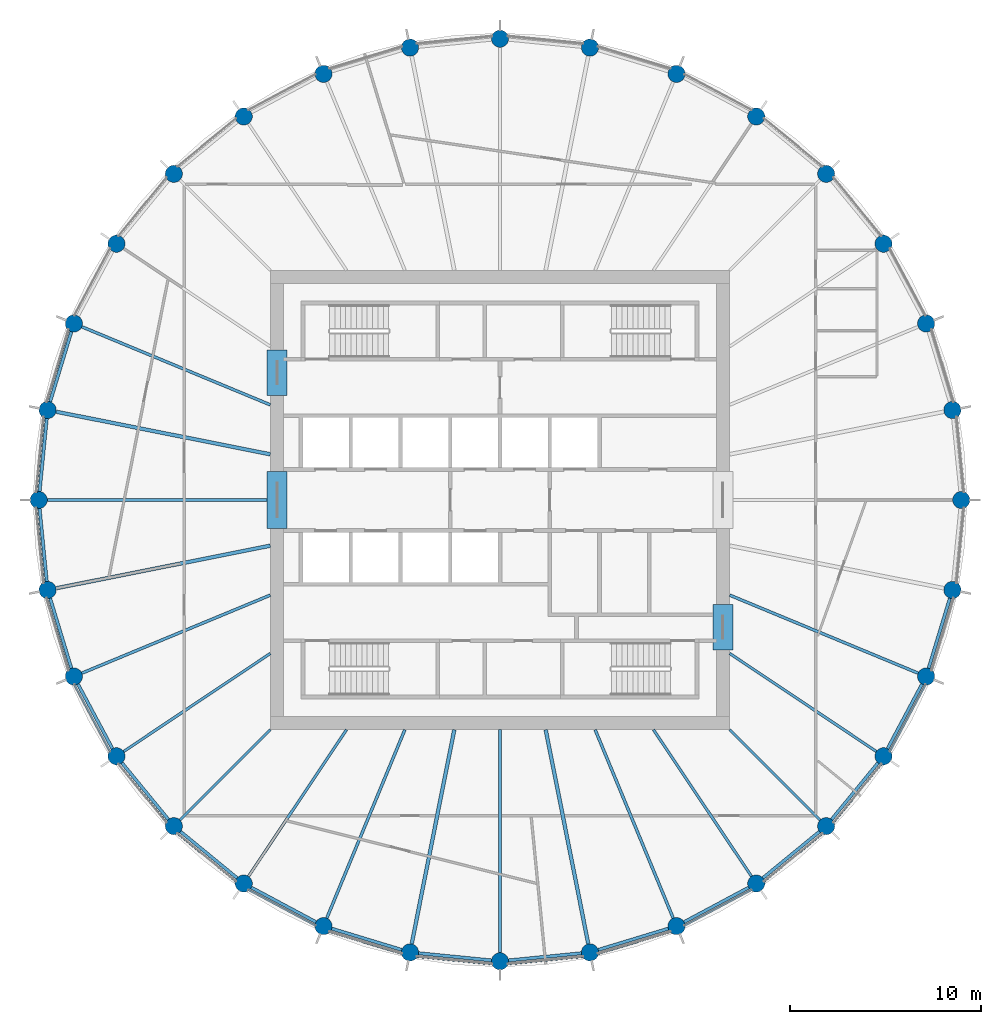
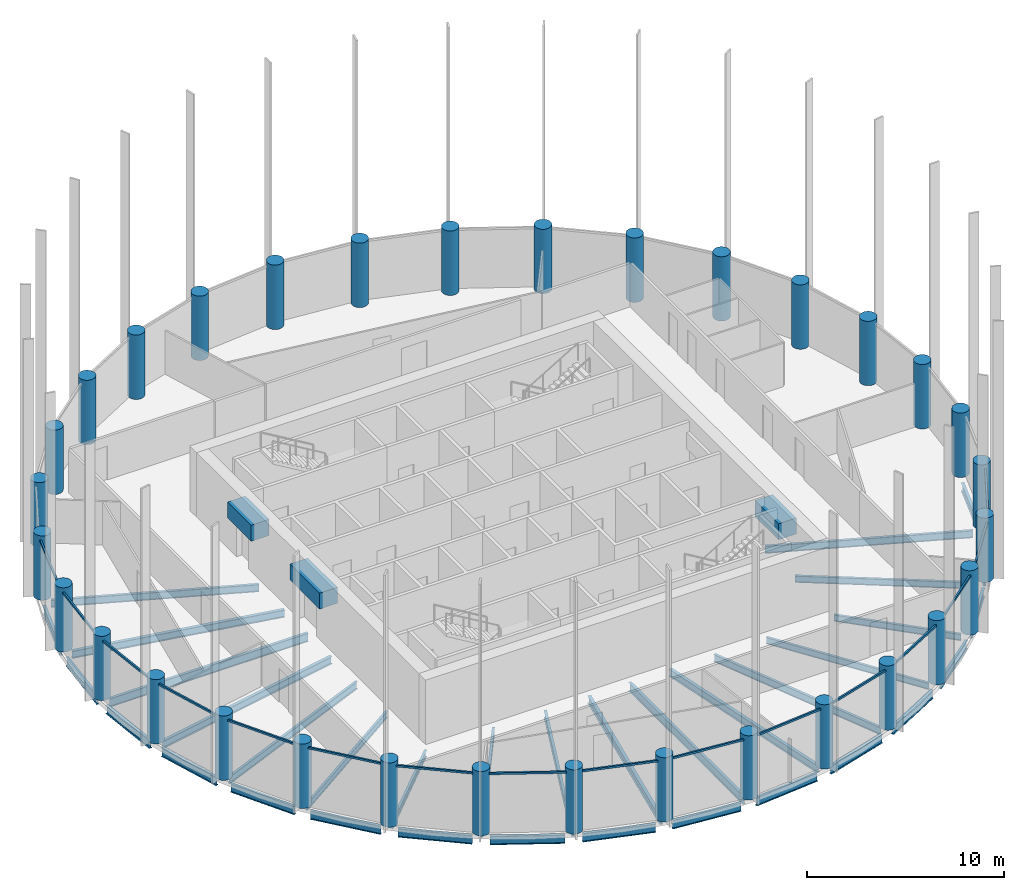
# One storey, part 1 of 7: 37 beams, 32 columns, 16 members, 16 elements without a shape of their own.
"""IFC4 building model written with IfcOpenShell, lengths in metres."""

from ifc_helpers import new_model, si_unit, direction, frame, origin, origin_2d, place, context, subcontext, project, spatial, rectangle, circle, i_section, extrude, material, material_profile, profile_set, type_object, element, aggregate, save


model = new_model("IFC4")

# Units and contexts
model_context = context("Model", 3, precision=1e-05, world=origin(), true_north=direction((0.0, 1.0)))
body_context = subcontext(model_context, "Body", "Model", "MODEL_VIEW")
ifc_project = project(units=[si_unit("LENGTHUNIT", "METRE"), si_unit("AREAUNIT", "SQUARE_METRE"), si_unit("VOLUMEUNIT", "CUBIC_METRE"), si_unit("PLANEANGLEUNIT", "RADIAN"), si_unit("MASSUNIT", "GRAM", prefix="KILO")], contexts=[model_context])

# Site, building, storey
site_placement = place(None, origin())
site = spatial("IfcSite", under=ifc_project, at=site_placement, CompositionType="ELEMENT")
building_placement = place(site_placement, origin())
building = spatial("IfcBuilding", under=site, at=building_placement, Name="Corvane Civic Tower", CompositionType="ELEMENT")
storey_placement = place(building_placement, frame((0.0, 0.0, 295.0)))
storey = spatial("IfcBuildingStorey", under=building, at=storey_placement, Name="L70", CompositionType="ELEMENT", Elevation=295.0)

# Columns
ifc_material_1 = material(Name="Concrete C60/75", Category="concrete")
ifc_material_profile_1 = material_profile(ifc_material_1, circle(Radius=0.449951171875, at=origin_2d()), Name="COLUMN 900")
ifc_profile_set_1 = profile_set([ifc_material_profile_1], Name="Concrete C60/75")
column_type = type_object("IfcColumnType", Name="RC COLUMN COLUMN 900", PredefinedType="COLUMN", material=ifc_profile_set_1)
for number, where, z_axis, x_axis, name in (
    (1, (0.0, 24.10009765625, 0.0), (0.0, 0.0, 1.0), (1.0, 0.0, 0.0), "COL-L70-E01"),
    (2, (4.70166015625, 23.636962890625, 0.0), (0.0, 0.0, 1.0), (1.0, 0.0, 0.0), "COL-L70-E02"),
    (3, (9.22265625, 22.265380859375, 0.0), (0.0, 0.0, 1.0), (1.0, 0.0, 0.0), "COL-L70-E03"),
    (4, (13.38916015625, 20.038330078125, 0.0), (0.0, 0.0, 1.0), (1.0, 0.0, 0.0), "COL-L70-E04"),
    (5, (17.041259765625, 17.041259765625, 0.0), (0.0, 0.0, 1.0), (1.0, 0.0, 0.0), "COL-L70-E05"),
    (6, (20.038330078125, 13.38916015625, 0.0), (0.0, 0.0, 1.0), (1.0, 0.0, 0.0), "COL-L70-E06"),
    (7, (22.265380859375, 9.22265625, 0.0), (0.0, 0.0, 1.0), (1.0, 0.0, 0.0), "COL-L70-E07"),
    (8, (23.636962890625, 4.70166015625, 0.0), (0.0, 0.0, 1.0), (1.0, 0.0, 0.0), "COL-L70-E08"),
    (9, (24.10009765625, 0.0, 0.0), (0.0, 0.0, 1.0), (1.0, 0.0, 0.0), "COL-L70-E09"),
    (10, (23.636962890625, -4.70166015625, 0.0), (0.0, 0.0, 1.0), (1.0, 0.0, 0.0), "COL-L70-E10"),
    (11, (22.265380859375, -9.22265625, 0.0), (0.0, 0.0, 1.0), (1.0, 0.0, 0.0), "COL-L70-E11"),
    (12, (20.038330078125, -13.38916015625, 0.0), (0.0, 0.0, 1.0), (1.0, 0.0, 0.0), "COL-L70-E12"),
    (13, (17.041259765625, -17.041259765625, 0.0), (0.0, 0.0, 1.0), (1.0, 0.0, 0.0), "COL-L70-E13"),
    (14, (13.38916015625, -20.038330078125, 0.0), (0.0, 0.0, 1.0), (1.0, 0.0, 0.0), "COL-L70-E14"),
    (15, (9.22265625, -22.265380859375, 0.0), (0.0, 0.0, 1.0), (1.0, 0.0, 0.0), "COL-L70-E15"),
    (16, (4.70166015625, -23.636962890625, 0.0), (0.0, 0.0, 1.0), (1.0, 0.0, 0.0), "COL-L70-E16"),
    (17, (0.0, -24.10009765625, 0.0), (0.0, 0.0, 1.0), (1.0, 0.0, 0.0), "COL-L70-E17"),
    (18, (-4.70166015625, -23.636962890625, 0.0), (0.0, 0.0, 1.0), (1.0, 0.0, 0.0), "COL-L70-E18"),
    (19, (-9.22265625, -22.265380859375, 0.0), (0.0, 0.0, 1.0), (1.0, 0.0, 0.0), "COL-L70-E19"),
    (20, (-13.38916015625, -20.038330078125, 0.0), (0.0, 0.0, 1.0), (1.0, 0.0, 0.0), "COL-L70-E20"),
    (21, (-17.041259765625, -17.041259765625, 0.0), (0.0, 0.0, 1.0), (1.0, 0.0, 0.0), "COL-L70-E21"),
    (22, (-20.038330078125, -13.38916015625, 0.0), (0.0, 0.0, 1.0), (1.0, 0.0, 0.0), "COL-L70-E22"),
    (23, (-22.265380859375, -9.22265625, 0.0), (0.0, 0.0, 1.0), (1.0, 0.0, 0.0), "COL-L70-E23"),
    (24, (-23.636962890625, -4.70166015625, 0.0), (0.0, 0.0, 1.0), (1.0, 0.0, 0.0), "COL-L70-E24"),
    (25, (-24.10009765625, 0.0, 0.0), (0.0, 0.0, 1.0), (1.0, 0.0, 0.0), "COL-L70-E25"),
    (26, (-23.636962890625, 4.70166015625, 0.0), (0.0, 0.0, 1.0), (1.0, 0.0, 0.0), "COL-L70-E26"),
    (27, (-22.265380859375, 9.22265625, 0.0), (0.0, 0.0, 1.0), (1.0, 0.0, 0.0), "COL-L70-E27"),
    (28, (-20.038330078125, 13.38916015625, 0.0), (0.0, 0.0, 1.0), (1.0, 0.0, 0.0), "COL-L70-E28"),
    (29, (-17.041259765625, 17.041259765625, 0.0), (0.0, 0.0, 1.0), (1.0, 0.0, 0.0), "COL-L70-E29"),
    (30, (-13.38916015625, 20.038330078125, 0.0), (0.0, 0.0, 1.0), (1.0, 0.0, 0.0), "COL-L70-E30"),
    (31, (-9.22265625, 22.265380859375, 0.0), (0.0, 0.0, 1.0), (1.0, 0.0, 0.0), "COL-L70-E31"),
    (32, (-4.70166015625, 23.636962890625, 0.0), (0.0, 0.0, 1.0), (1.0, 0.0, 0.0), "COL-L70-E32"),
):
    element("IfcColumn", number, at=place(storey_placement, frame(where, z_axis=z_axis, x_axis=x_axis)), inside=storey, type_object=column_type, Name=name, PredefinedType="COLUMN", context=body_context, shape_type="SweptSolid", body=[
        extrude(circle(Radius=0.449951171875, at=origin_2d()), origin(), (0.0, 0.0, 1.0), 4.0),
    ])

# Beams
ifc_material_2 = material(Name="Concrete C40/50", Category="concrete")
ifc_material_profile_2 = material_profile(ifc_material_2, rectangle(XDim=1.050048828125, YDim=1.0, at=origin_2d()), Name="COUPLING BEAM 1050X1000")
ifc_profile_set_2 = profile_set([ifc_material_profile_2], Name="Concrete C40/50")
beam_type_1 = type_object("IfcBeamType", Name="COUPLING BEAM COUPLING BEAM 1050X1000", PredefinedType="BEAM", material=ifc_profile_set_2)
beam_1_placement = place(storey_placement, frame((-11.64990234375, -1.5, 2.60009765625), z_axis=(0.0, 1.0, 0.0), x_axis=(-1.0, 0.0, 0.0)))
element("IfcBeam", 33, at=beam_1_placement, inside=storey, type_object=beam_type_1, Name="BM-L70-cpl-CW-LW", PredefinedType="BEAM", context=body_context, shape_type="SweptSolid", body=[
    extrude(rectangle(XDim=1.050048828125, YDim=1.0, at=origin_2d()), origin(), (0.0, 0.0, 1.0), 3.0),
])
for number, where, z_axis, x_axis, name in (
    (34, (-11.64990234375, 5.449951171875, 2.60009765625), (0.0, 1.0, 0.0), (-1.0, 0.0, 0.0), "BM-L70-cpl-CW-WN"),
    (35, (11.64990234375, -7.85009765625, 2.60009765625), (0.0, 1.0, 0.0), (-1.0, 0.0, 0.0), "BM-L70-cpl-CW-ES"),
):
    element("IfcBeam", number, at=place(storey_placement, frame(where, z_axis=z_axis, x_axis=x_axis)), inside=storey, type_object=beam_type_1, Name=name, PredefinedType="BEAM", context=body_context, shape_type="SweptSolid", body=[
        extrude(rectangle(XDim=1.050048828125, YDim=1.0, at=origin_2d()), origin(), (0.0, 0.0, 1.0), 2.400146484375),
    ])
ifc_material_3 = material(Name="Steel ASTM A992 Gr 50", Category="steel")
ifc_material_profile_3 = material_profile(ifc_material_3, i_section(OverallWidth=0.165771484375, OverallDepth=0.5283203125, WebThickness=0.009765625, FlangeThickness=0.013671875, at=origin_2d()), Name="W21X50")
ifc_profile_set_3 = profile_set([ifc_material_profile_3], Name="Steel ASTM A992 Gr 50")
beam_type_2 = type_object("IfcBeamType", Name="EDGE BEAM W21X50", PredefinedType="BEAM", material=ifc_profile_set_3)
beam_2_placement = place(storey_placement, frame((23.50634765625, -5.13232421875, -0.564208984375), z_axis=(-0.290333385085, -0.95692555902, 0.0), x_axis=(0.95692555902, -0.290333385085, 0.0)))
element("IfcBeam", 36, at=beam_2_placement, inside=storey, type_object=beam_type_2, Name="BM-L70-E10", PredefinedType="BEAM", context=body_context, shape_type="SweptSolid", body=[
    extrude(i_section(OverallWidth=0.165771484375, OverallDepth=0.5283203125, WebThickness=0.009765625, FlangeThickness=0.013671875, at=origin_2d()), origin(), (0.0, 0.0, 1.0), 3.824462890625),
])
beam_3_placement = place(storey_placement, frame((22.05322265625, -9.61962890625, -0.564208984375), z_axis=(-0.471409804487, -0.881914279413, 0.0), x_axis=(0.881914279413, -0.471409804487, 0.0)))
element("IfcBeam", 37, at=beam_3_placement, inside=storey, type_object=beam_type_2, Name="BM-L70-E11", PredefinedType="BEAM", context=body_context, shape_type="SweptSolid", body=[
    extrude(i_section(OverallWidth=0.165771484375, OverallDepth=0.5283203125, WebThickness=0.009765625, FlangeThickness=0.013671875, at=origin_2d()), origin(), (0.0, 0.0, 1.0), 3.82421875),
])
for number, where, z_axis, x_axis, name in (
    (38, (19.7529296875, -13.737060546875, -0.564208984375), (-0.634408562057, -0.772997914867, 0.0), (0.772997914867, -0.634408562057, 0.0), "BM-L70-E12"),
    (39, (16.693359375, -17.32666015625, -0.564208984375), (-0.772997914867, -0.634408562057, 0.0), (0.634408562057, -0.772997914867, 0.0), "BM-L70-E13"),
):
    element("IfcBeam", number, at=place(storey_placement, frame(where, z_axis=z_axis, x_axis=x_axis)), inside=storey, type_object=beam_type_2, Name=name, PredefinedType="BEAM", context=body_context, shape_type="SweptSolid", body=[
        extrude(i_section(OverallWidth=0.165771484375, OverallDepth=0.5283203125, WebThickness=0.009765625, FlangeThickness=0.013671875, at=origin_2d()), origin(), (0.0, 0.0, 1.0), 3.824462890625),
    ])
beam_4_placement = place(storey_placement, frame((12.9921875, -20.25048828125, -0.564208984375), z_axis=(-0.881914279413, -0.471409804487, 0.0), x_axis=(0.471409804487, -0.881914279413, 0.0)))
element("IfcBeam", 40, at=beam_4_placement, inside=storey, type_object=beam_type_2, Name="BM-L70-E14", PredefinedType="BEAM", context=body_context, shape_type="SweptSolid", body=[
    extrude(i_section(OverallWidth=0.165771484375, OverallDepth=0.5283203125, WebThickness=0.009765625, FlangeThickness=0.013671875, at=origin_2d()), origin(), (0.0, 0.0, 1.0), 3.82421875),
])
for number, where, z_axis, x_axis, name in (
    (41, (8.7919921875, -22.39599609375, -0.564208984375), (-0.95692555902, -0.290333385085, 0.0), (0.290333385085, -0.95692555902, 0.0), "BM-L70-E15"),
    (42, (4.25390625, -23.68115234375, -0.564208984375), (-0.995187721162, -0.097986732007, 0.0), (0.097986732007, -0.995187721162, 0.0), "BM-L70-E16"),
    (43, (-0.44775390625, -24.055908203125, -0.564208984375), (-0.995187721162, 0.097986732007, 0.0), (-0.097986732007, -0.995187721162, 0.0), "BM-L70-E17"),
    (44, (-5.13232421875, -23.50634765625, -0.564208984375), (-0.95692555902, 0.290333385085, 0.0), (-0.290333385085, -0.95692555902, 0.0), "BM-L70-E18"),
):
    element("IfcBeam", number, at=place(storey_placement, frame(where, z_axis=z_axis, x_axis=x_axis)), inside=storey, type_object=beam_type_2, Name=name, PredefinedType="BEAM", context=body_context, shape_type="SweptSolid", body=[
        extrude(i_section(OverallWidth=0.165771484375, OverallDepth=0.5283203125, WebThickness=0.009765625, FlangeThickness=0.013671875, at=origin_2d()), origin(), (0.0, 0.0, 1.0), 3.824462890625),
    ])
beam_5_placement = place(storey_placement, frame((-9.61962890625, -22.05322265625, -0.564208984375), z_axis=(-0.881914279413, 0.471409804487, 0.0), x_axis=(-0.471409804487, -0.881914279413, 0.0)))
element("IfcBeam", 45, at=beam_5_placement, inside=storey, type_object=beam_type_2, Name="BM-L70-E19", PredefinedType="BEAM", context=body_context, shape_type="SweptSolid", body=[
    extrude(i_section(OverallWidth=0.165771484375, OverallDepth=0.5283203125, WebThickness=0.009765625, FlangeThickness=0.013671875, at=origin_2d()), origin(), (0.0, 0.0, 1.0), 3.82421875),
])
for number, where, z_axis, x_axis, name in (
    (46, (-13.737060546875, -19.7529296875, -0.564208984375), (-0.772997914867, 0.634408562057, 0.0), (-0.634408562057, -0.772997914867, 0.0), "BM-L70-E20"),
    (47, (-17.32666015625, -16.693359375, -0.564208984375), (-0.634408562057, 0.772997914867, 0.0), (-0.772997914867, -0.634408562057, 0.0), "BM-L70-E21"),
):
    element("IfcBeam", number, at=place(storey_placement, frame(where, z_axis=z_axis, x_axis=x_axis)), inside=storey, type_object=beam_type_2, Name=name, PredefinedType="BEAM", context=body_context, shape_type="SweptSolid", body=[
        extrude(i_section(OverallWidth=0.165771484375, OverallDepth=0.5283203125, WebThickness=0.009765625, FlangeThickness=0.013671875, at=origin_2d()), origin(), (0.0, 0.0, 1.0), 3.824462890625),
    ])
beam_6_placement = place(storey_placement, frame((-20.25048828125, -12.9921875, -0.564208984375), z_axis=(-0.471409804487, 0.881914279413, 0.0), x_axis=(-0.881914279413, -0.471409804487, 0.0)))
element("IfcBeam", 48, at=beam_6_placement, inside=storey, type_object=beam_type_2, Name="BM-L70-E22", PredefinedType="BEAM", context=body_context, shape_type="SweptSolid", body=[
    extrude(i_section(OverallWidth=0.165771484375, OverallDepth=0.5283203125, WebThickness=0.009765625, FlangeThickness=0.013671875, at=origin_2d()), origin(), (0.0, 0.0, 1.0), 3.82421875),
])
for number, where, z_axis, x_axis, name in (
    (49, (-22.39599609375, -8.7919921875, -0.564208984375), (-0.290333385085, 0.95692555902, 0.0), (-0.95692555902, -0.290333385085, 0.0), "BM-L70-E23"),
    (50, (-23.68115234375, -4.25390625, -0.564208984375), (-0.097986732007, 0.995187721162, 0.0), (-0.995187721162, -0.097986732007, 0.0), "BM-L70-E24"),
    (51, (-24.055908203125, 0.44775390625, -0.564208984375), (0.097986732007, 0.995187721162, 0.0), (-0.995187721162, 0.097986732007, 0.0), "BM-L70-E25"),
    (52, (-23.50634765625, 5.13232421875, -0.564208984375), (0.290333385085, 0.95692555902, 0.0), (-0.95692555902, 0.290333385085, 0.0), "BM-L70-E26"),
):
    element("IfcBeam", number, at=place(storey_placement, frame(where, z_axis=z_axis, x_axis=x_axis)), inside=storey, type_object=beam_type_2, Name=name, PredefinedType="BEAM", context=body_context, shape_type="SweptSolid", body=[
        extrude(i_section(OverallWidth=0.165771484375, OverallDepth=0.5283203125, WebThickness=0.009765625, FlangeThickness=0.013671875, at=origin_2d()), origin(), (0.0, 0.0, 1.0), 3.824462890625),
    ])
ifc_material_4 = material(Name="Steel ASTM A992 Gr 50", Category="steel")
ifc_material_profile_4 = material_profile(ifc_material_4, i_section(OverallWidth=0.140380859375, OverallDepth=0.40380859375, WebThickness=0.007080078125, FlangeThickness=0.01123046875, at=origin_2d()), Name="W16X31")
ifc_profile_set_4 = profile_set([ifc_material_profile_4], Name="Steel ASTM A992 Gr 50")
beam_type_3 = type_object("IfcBeamType", Name="FLOOR GIRDER W16X31", PredefinedType="BEAM", material=ifc_profile_set_4)
beam_7_placement = place(storey_placement, frame((12.0, -8.01806640625, -0.501953125), z_axis=(0.831471227061, -0.555567816355, 0.0), x_axis=(0.555567816355, 0.831471227061, 0.0)))
element("IfcBeam", 53, at=beam_7_placement, inside=storey, type_object=beam_type_3, Name="BM-L70-G12", PredefinedType="BEAM", context=body_context, shape_type="SweptSolid", body=[
    extrude(i_section(OverallWidth=0.140380859375, OverallDepth=0.40380859375, WebThickness=0.007080078125, FlangeThickness=0.01123046875, at=origin_2d()), origin(), (0.0, 0.0, 1.0), 9.2177734375),
])
beam_8_placement = place(storey_placement, frame((12.0, -12.0, -0.501953125), z_axis=(0.707106781187, -0.707106781187, 0.0), x_axis=(0.707106781187, 0.707106781187, 0.0)))
element("IfcBeam", 54, at=beam_8_placement, inside=storey, type_object=beam_type_3, Name="BM-L70-G13", PredefinedType="BEAM", context=body_context, shape_type="SweptSolid", body=[
    extrude(i_section(OverallWidth=0.140380859375, OverallDepth=0.40380859375, WebThickness=0.007080078125, FlangeThickness=0.01123046875, at=origin_2d()), origin(), (0.0, 0.0, 1.0), 6.679443359375),
])
for number, where, z_axis, x_axis, name in (
    (55, (8.01806640625, -12.0, -0.501953125), (0.555567816355, -0.831471227061, 0.0), (0.831471227061, 0.555567816355, 0.0), "BM-L70-G14"),
    (56, (-8.01806640625, -12.0, -0.501953125), (-0.555567816355, -0.831471227061, 0.0), (0.831471227061, -0.555567816355, 0.0), "BM-L70-G20"),
):
    element("IfcBeam", number, at=place(storey_placement, frame(where, z_axis=z_axis, x_axis=x_axis)), inside=storey, type_object=beam_type_3, Name=name, PredefinedType="BEAM", context=body_context, shape_type="SweptSolid", body=[
        extrude(i_section(OverallWidth=0.140380859375, OverallDepth=0.40380859375, WebThickness=0.007080078125, FlangeThickness=0.01123046875, at=origin_2d()), origin(), (0.0, 0.0, 1.0), 9.2177734375),
    ])
beam_9_placement = place(storey_placement, frame((-12.0, -12.0, -0.501953125), z_axis=(-0.707106781187, -0.707106781187, 0.0), x_axis=(0.707106781187, -0.707106781187, 0.0)))
element("IfcBeam", 57, at=beam_9_placement, inside=storey, type_object=beam_type_3, Name="BM-L70-G21", PredefinedType="BEAM", context=body_context, shape_type="SweptSolid", body=[
    extrude(i_section(OverallWidth=0.140380859375, OverallDepth=0.40380859375, WebThickness=0.007080078125, FlangeThickness=0.01123046875, at=origin_2d()), origin(), (0.0, 0.0, 1.0), 6.679443359375),
])
beam_10_placement = place(storey_placement, frame((-12.0, -8.01806640625, -0.501953125), z_axis=(-0.831471227061, -0.555567816355, 0.0), x_axis=(0.555567816355, -0.831471227061, 0.0)))
element("IfcBeam", 58, at=beam_10_placement, inside=storey, type_object=beam_type_3, Name="BM-L70-G22", PredefinedType="BEAM", context=body_context, shape_type="SweptSolid", body=[
    extrude(i_section(OverallWidth=0.140380859375, OverallDepth=0.40380859375, WebThickness=0.007080078125, FlangeThickness=0.01123046875, at=origin_2d()), origin(), (0.0, 0.0, 1.0), 9.2177734375),
])
ifc_material_5 = material(Name="Steel ASTM A992 Gr 50", Category="steel")
ifc_material_profile_5 = material_profile(ifc_material_5, i_section(OverallWidth=0.15283203125, OverallDepth=0.45458984375, WebThickness=0.008056640625, FlangeThickness=0.013427734375, at=origin_2d()), Name="W18X40")
ifc_profile_set_5 = profile_set([ifc_material_profile_5], Name="Steel ASTM A992 Gr 50")
beam_type_4 = type_object("IfcBeamType", Name="FLOOR GIRDER W18X40", PredefinedType="BEAM", material=ifc_profile_set_5)
for number, where, z_axis, x_axis, name in (
    (59, (12.0, -4.970458984375, -0.52734375), (0.923875048589, -0.382694257331, 0.0), (0.382694257331, 0.923875048589, 0.0), "BM-L70-G11"),
    (60, (4.970458984375, -12.0, -0.52734375), (0.382694257331, -0.923875048589, 0.0), (0.923875048589, 0.382694257331, 0.0), "BM-L70-G15"),
    (61, (-4.970458984375, -12.0, -0.52734375), (-0.382694257331, -0.923875048589, 0.0), (0.923875048589, -0.382694257331, 0.0), "BM-L70-G19"),
    (62, (-12.0, -4.970458984375, -0.52734375), (-0.923875048589, -0.382694257331, 0.0), (0.382694257331, -0.923875048589, 0.0), "BM-L70-G23"),
    (63, (-12.0, 4.970458984375, -0.52734375), (-0.923875048589, 0.382694257331, 0.0), (-0.382694257331, -0.923875048589, 0.0), "BM-L70-G27"),
):
    element("IfcBeam", number, at=place(storey_placement, frame(where, z_axis=z_axis, x_axis=x_axis)), inside=storey, type_object=beam_type_4, Name=name, PredefinedType="BEAM", context=body_context, shape_type="SweptSolid", body=[
        extrude(i_section(OverallWidth=0.15283203125, OverallDepth=0.45458984375, WebThickness=0.008056640625, FlangeThickness=0.013427734375, at=origin_2d()), origin(), (0.0, 0.0, 1.0), 10.661376953125),
    ])
ifc_material_6 = material(Name="Steel ASTM A992 Gr 50", Category="steel")
ifc_material_profile_6 = material_profile(ifc_material_6, i_section(OverallWidth=0.1904296875, OverallDepth=0.457275390625, WebThickness=0.009033203125, FlangeThickness=0.014404296875, at=origin_2d()), Name="W18X50")
ifc_profile_set_6 = profile_set([ifc_material_profile_6], Name="Steel ASTM A992 Gr 50")
beam_type_5 = type_object("IfcBeamType", Name="FLOOR GIRDER W18X50", PredefinedType="BEAM", material=ifc_profile_set_6)
for number, where, z_axis, x_axis, name in (
    (64, (2.386962890625, -12.0, -0.528564453125), (0.195079532402, -0.980787426529, 0.0), (0.980787426529, 0.195079532402, 0.0), "BM-L70-G16"),
    (65, (-2.386962890625, -12.0, -0.528564453125), (-0.195079532402, -0.980787426529, 0.0), (0.980787426529, -0.195079532402, 0.0), "BM-L70-G18"),
    (66, (-12.0, -2.386962890625, -0.528564453125), (-0.980787426529, -0.195079532402, 0.0), (0.195079532402, -0.980787426529, 0.0), "BM-L70-G24"),
    (67, (-12.0, 2.386962890625, -0.528564453125), (-0.980787426529, 0.195079532402, 0.0), (-0.195079532402, -0.980787426529, 0.0), "BM-L70-G26"),
):
    element("IfcBeam", number, at=place(storey_placement, frame(where, z_axis=z_axis, x_axis=x_axis)), inside=storey, type_object=beam_type_5, Name=name, PredefinedType="BEAM", context=body_context, shape_type="SweptSolid", body=[
        extrude(i_section(OverallWidth=0.1904296875, OverallDepth=0.457275390625, WebThickness=0.009033203125, FlangeThickness=0.014404296875, at=origin_2d()), origin(), (0.0, 0.0, 1.0), 11.414794921875),
    ])
ifc_material_7 = material(Name="Steel ASTM A992 Gr 50", Category="steel")
ifc_material_profile_7 = material_profile(ifc_material_7, i_section(OverallWidth=0.165771484375, OverallDepth=0.5283203125, WebThickness=0.009765625, FlangeThickness=0.013671875, at=origin_2d()), Name="W21X50")
ifc_profile_set_7 = profile_set([ifc_material_profile_7], Name="Steel ASTM A992 Gr 50")
beam_type_6 = type_object("IfcBeamType", Name="FLOOR GIRDER W21X50", PredefinedType="BEAM", material=ifc_profile_set_7)
for number, where, z_axis, x_axis, name in (
    (68, (0.0, -12.0, -0.564208984375), (0.0, -1.0, 0.0), (1.0, 0.0, 0.0), "BM-L70-G17"),
    (69, (-12.0, 0.0, -0.564208984375), (-1.0, 0.0, 0.0), (0.0, -1.0, 0.0), "BM-L70-G25"),
):
    element("IfcBeam", number, at=place(storey_placement, frame(where, z_axis=z_axis, x_axis=x_axis)), inside=storey, type_object=beam_type_6, Name=name, PredefinedType="BEAM", context=body_context, shape_type="SweptSolid", body=[
        extrude(i_section(OverallWidth=0.165771484375, OverallDepth=0.5283203125, WebThickness=0.009765625, FlangeThickness=0.013671875, at=origin_2d()), origin(), (0.0, 0.0, 1.0), 11.64990234375),
    ])

# Curtain wall, member
ifc_material_8 = material(Name="Anodised aluminium bronze", Category="aluminium")
curtain_wall_type = type_object("IfcCurtainWallType", Name="TOWER CW-T3 STICK CURTAIN WALL", PredefinedType="NOTDEFINED", material=ifc_material_8)
curtain_wall_1_placement = place(storey_placement, origin())
curtain_wall_1 = element("IfcCurtainWall", 70, at=curtain_wall_1_placement, inside=storey, type_object=curtain_wall_type, Name="Curtain wall CW-T3 L70 bay 11", PredefinedType="NOTDEFINED")
ifc_material_9 = material(Name="Anodised aluminium bronze", Category="aluminium")
ifc_material_profile_8 = material_profile(ifc_material_9, rectangle(XDim=0.10009765625, YDim=0.1201171875, at=origin_2d()), Name="TOWER CW-T3 TRANSOM 100x120")
ifc_profile_set_8 = profile_set([ifc_material_profile_8], Name="Anodised aluminium bronze")
member_type = type_object("IfcMemberType", Name="TOWER CW-T3 TRANSOM 100x120", PredefinedType="USERDEFINED", material=ifc_profile_set_8)
member_1_placement = place(storey_placement, frame((22.2431640625, -9.644775390625, 3.68994140625), z_axis=(-0.471468241052, -0.881883040816, 0.0), x_axis=(0.881883040816, -0.471468241052, 0.0)))
member_1 = element("IfcMember", 71, at=member_1_placement, type_object=member_type, Name="Transom CW-T3 L70 11.1", ObjectType="TRANSOM", PredefinedType="USERDEFINED", context=body_context, shape_type="SweptSolid", body=[
    extrude(rectangle(XDim=0.10009765625, YDim=0.1201171875, at=origin_2d()), origin(), (0.0, 0.0, 1.0), 3.958740234375),
])
aggregate(curtain_wall_1, [member_1])

curtain_wall_2_placement = place(storey_placement, origin())
curtain_wall_2 = element("IfcCurtainWall", 72, at=curtain_wall_2_placement, inside=storey, type_object=curtain_wall_type, Name="Curtain wall CW-T3 L70 bay 12", PredefinedType="NOTDEFINED")
member_2_placement = place(storey_placement, frame((19.93408203125, -13.798828125, 3.68994140625), z_axis=(-0.634415838373, -0.772991943051, 0.0), x_axis=(0.772991943051, -0.634415838373, 0.0)))
member_2 = element("IfcMember", 73, at=member_2_placement, type_object=member_type, Name="Transom CW-T3 L70 12.1", ObjectType="TRANSOM", PredefinedType="USERDEFINED", context=body_context, shape_type="SweptSolid", body=[
    extrude(rectangle(XDim=0.10009765625, YDim=0.1201171875, at=origin_2d()), origin(), (0.0, 0.0, 1.0), 3.958740234375),
])
aggregate(curtain_wall_2, [member_2])

curtain_wall_3_placement = place(storey_placement, origin())
curtain_wall_3 = element("IfcCurtainWall", 74, at=curtain_wall_3_placement, inside=storey, type_object=curtain_wall_type, Name="Curtain wall CW-T3 L70 bay 13", PredefinedType="NOTDEFINED")
member_3_placement = place(storey_placement, frame((16.85888671875, -17.422607421875, 3.68994140625), z_axis=(-0.772991943051, -0.634415838373, 0.0), x_axis=(0.634415838373, -0.772991943051, 0.0)))
member_3 = element("IfcMember", 75, at=member_3_placement, type_object=member_type, Name="Transom CW-T3 L70 13.1", ObjectType="TRANSOM", PredefinedType="USERDEFINED", context=body_context, shape_type="SweptSolid", body=[
    extrude(rectangle(XDim=0.10009765625, YDim=0.1201171875, at=origin_2d()), origin(), (0.0, 0.0, 1.0), 3.958740234375),
])
aggregate(curtain_wall_3, [member_3])

curtain_wall_4_placement = place(storey_placement, origin())
curtain_wall_4 = element("IfcCurtainWall", 76, at=curtain_wall_4_placement, inside=storey, type_object=curtain_wall_type, Name="Curtain wall CW-T3 L70 bay 14", PredefinedType="NOTDEFINED")
member_4_placement = place(storey_placement, frame((13.135986328125, -20.376708984375, 3.68994140625), z_axis=(-0.881883040816, -0.471468241052, 0.0), x_axis=(0.471468241052, -0.881883040816, 0.0)))
member_4 = element("IfcMember", 77, at=member_4_placement, type_object=member_type, Name="Transom CW-T3 L70 14.1", ObjectType="TRANSOM", PredefinedType="USERDEFINED", context=body_context, shape_type="SweptSolid", body=[
    extrude(rectangle(XDim=0.10009765625, YDim=0.1201171875, at=origin_2d()), origin(), (0.0, 0.0, 1.0), 3.958740234375),
])
aggregate(curtain_wall_4, [member_4])

curtain_wall_5_placement = place(storey_placement, origin())
curtain_wall_5 = element("IfcCurtainWall", 78, at=curtain_wall_5_placement, inside=storey, type_object=curtain_wall_type, Name="Curtain wall CW-T3 L70 bay 15", PredefinedType="NOTDEFINED")
member_5_placement = place(storey_placement, frame((8.908447265625, -22.548095703125, 3.68994140625), z_axis=(-0.956946054205, -0.290265825309, 0.0), x_axis=(0.290265825309, -0.956946054205, 0.0)))
member_5 = element("IfcMember", 79, at=member_5_placement, type_object=member_type, Name="Transom CW-T3 L70 15.1", ObjectType="TRANSOM", PredefinedType="USERDEFINED", context=body_context, shape_type="SweptSolid", body=[
    extrude(rectangle(XDim=0.10009765625, YDim=0.1201171875, at=origin_2d()), origin(), (0.0, 0.0, 1.0), 3.958984375),
])
aggregate(curtain_wall_5, [member_5])

curtain_wall_6_placement = place(storey_placement, origin())
curtain_wall_6 = element("IfcCurtainWall", 80, at=curtain_wall_6_placement, inside=storey, type_object=curtain_wall_type, Name="Curtain wall CW-T3 L70 bay 16", PredefinedType="NOTDEFINED")
member_6_placement = place(storey_placement, frame((4.338134765625, -23.852783203125, 3.68994140625), z_axis=(-0.995186866683, -0.097995409999, 0.0), x_axis=(0.097995409999, -0.995186866683, 0.0)))
member_6 = element("IfcMember", 81, at=member_6_placement, type_object=member_type, Name="Transom CW-T3 L70 16.1", ObjectType="TRANSOM", PredefinedType="USERDEFINED", context=body_context, shape_type="SweptSolid", body=[
    extrude(rectangle(XDim=0.10009765625, YDim=0.1201171875, at=origin_2d()), origin(), (0.0, 0.0, 1.0), 3.958740234375),
])
aggregate(curtain_wall_6, [member_6])

curtain_wall_7_placement = place(storey_placement, origin())
curtain_wall_7 = element("IfcCurtainWall", 82, at=curtain_wall_7_placement, inside=storey, type_object=curtain_wall_type, Name="Curtain wall CW-T3 L70 bay 17", PredefinedType="NOTDEFINED")
member_7_placement = place(storey_placement, frame((-0.3984375, -24.24072265625, 3.68994140625), z_axis=(-0.995186866683, 0.097995409999, 0.0), x_axis=(-0.097995409999, -0.995186866683, 0.0)))
member_7 = element("IfcMember", 83, at=member_7_placement, type_object=member_type, Name="Transom CW-T3 L70 17.1", ObjectType="TRANSOM", PredefinedType="USERDEFINED", context=body_context, shape_type="SweptSolid", body=[
    extrude(rectangle(XDim=0.10009765625, YDim=0.1201171875, at=origin_2d()), origin(), (0.0, 0.0, 1.0), 3.958740234375),
])
aggregate(curtain_wall_7, [member_7])

curtain_wall_8_placement = place(storey_placement, origin())
curtain_wall_8 = element("IfcCurtainWall", 84, at=curtain_wall_8_placement, inside=storey, type_object=curtain_wall_type, Name="Curtain wall CW-T3 L70 bay 18", PredefinedType="NOTDEFINED")
member_8_placement = place(storey_placement, frame((-5.119873046875, -23.697265625, 3.68994140625), z_axis=(-0.956946054205, 0.290265825309, 0.0), x_axis=(-0.290265825309, -0.956946054205, 0.0)))
member_8 = element("IfcMember", 85, at=member_8_placement, type_object=member_type, Name="Transom CW-T3 L70 18.1", ObjectType="TRANSOM", PredefinedType="USERDEFINED", context=body_context, shape_type="SweptSolid", body=[
    extrude(rectangle(XDim=0.10009765625, YDim=0.1201171875, at=origin_2d()), origin(), (0.0, 0.0, 1.0), 3.958984375),
])
aggregate(curtain_wall_8, [member_8])

curtain_wall_9_placement = place(storey_placement, origin())
curtain_wall_9 = element("IfcCurtainWall", 86, at=curtain_wall_9_placement, inside=storey, type_object=curtain_wall_type, Name="Curtain wall CW-T3 L70 bay 19", PredefinedType="NOTDEFINED")
member_9_placement = place(storey_placement, frame((-9.644775390625, -22.2431640625, 3.68994140625), z_axis=(-0.881883040816, 0.471468241052, 0.0), x_axis=(-0.471468241052, -0.881883040816, 0.0)))
member_9 = element("IfcMember", 87, at=member_9_placement, type_object=member_type, Name="Transom CW-T3 L70 19.1", ObjectType="TRANSOM", PredefinedType="USERDEFINED", context=body_context, shape_type="SweptSolid", body=[
    extrude(rectangle(XDim=0.10009765625, YDim=0.1201171875, at=origin_2d()), origin(), (0.0, 0.0, 1.0), 3.958740234375),
])
aggregate(curtain_wall_9, [member_9])

curtain_wall_10_placement = place(storey_placement, origin())
curtain_wall_10 = element("IfcCurtainWall", 88, at=curtain_wall_10_placement, inside=storey, type_object=curtain_wall_type, Name="Curtain wall CW-T3 L70 bay 20", PredefinedType="NOTDEFINED")
member_10_placement = place(storey_placement, frame((-13.798828125, -19.93408203125, 3.68994140625), z_axis=(-0.772991943051, 0.634415838373, 0.0), x_axis=(-0.634415838373, -0.772991943051, 0.0)))
member_10 = element("IfcMember", 89, at=member_10_placement, type_object=member_type, Name="Transom CW-T3 L70 20.1", ObjectType="TRANSOM", PredefinedType="USERDEFINED", context=body_context, shape_type="SweptSolid", body=[
    extrude(rectangle(XDim=0.10009765625, YDim=0.1201171875, at=origin_2d()), origin(), (0.0, 0.0, 1.0), 3.958740234375),
])
aggregate(curtain_wall_10, [member_10])

curtain_wall_11_placement = place(storey_placement, origin())
curtain_wall_11 = element("IfcCurtainWall", 90, at=curtain_wall_11_placement, inside=storey, type_object=curtain_wall_type, Name="Curtain wall CW-T3 L70 bay 21", PredefinedType="NOTDEFINED")
member_11_placement = place(storey_placement, frame((-17.422607421875, -16.85888671875, 3.68994140625), z_axis=(-0.634415838373, 0.772991943051, 0.0), x_axis=(-0.772991943051, -0.634415838373, 0.0)))
member_11 = element("IfcMember", 91, at=member_11_placement, type_object=member_type, Name="Transom CW-T3 L70 21.1", ObjectType="TRANSOM", PredefinedType="USERDEFINED", context=body_context, shape_type="SweptSolid", body=[
    extrude(rectangle(XDim=0.10009765625, YDim=0.1201171875, at=origin_2d()), origin(), (0.0, 0.0, 1.0), 3.958740234375),
])
aggregate(curtain_wall_11, [member_11])

curtain_wall_12_placement = place(storey_placement, origin())
curtain_wall_12 = element("IfcCurtainWall", 92, at=curtain_wall_12_placement, inside=storey, type_object=curtain_wall_type, Name="Curtain wall CW-T3 L70 bay 22", PredefinedType="NOTDEFINED")
member_12_placement = place(storey_placement, frame((-20.376708984375, -13.135986328125, 3.68994140625), z_axis=(-0.471468241052, 0.881883040816, 0.0), x_axis=(-0.881883040816, -0.471468241052, 0.0)))
member_12 = element("IfcMember", 93, at=member_12_placement, type_object=member_type, Name="Transom CW-T3 L70 22.1", ObjectType="TRANSOM", PredefinedType="USERDEFINED", context=body_context, shape_type="SweptSolid", body=[
    extrude(rectangle(XDim=0.10009765625, YDim=0.1201171875, at=origin_2d()), origin(), (0.0, 0.0, 1.0), 3.958740234375),
])
aggregate(curtain_wall_12, [member_12])

curtain_wall_13_placement = place(storey_placement, origin())
curtain_wall_13 = element("IfcCurtainWall", 94, at=curtain_wall_13_placement, inside=storey, type_object=curtain_wall_type, Name="Curtain wall CW-T3 L70 bay 23", PredefinedType="NOTDEFINED")
member_13_placement = place(storey_placement, frame((-22.548095703125, -8.908447265625, 3.68994140625), z_axis=(-0.290265825309, 0.956946054205, 0.0), x_axis=(-0.956946054205, -0.290265825309, 0.0)))
member_13 = element("IfcMember", 95, at=member_13_placement, type_object=member_type, Name="Transom CW-T3 L70 23.1", ObjectType="TRANSOM", PredefinedType="USERDEFINED", context=body_context, shape_type="SweptSolid", body=[
    extrude(rectangle(XDim=0.10009765625, YDim=0.1201171875, at=origin_2d()), origin(), (0.0, 0.0, 1.0), 3.958984375),
])
aggregate(curtain_wall_13, [member_13])

curtain_wall_14_placement = place(storey_placement, origin())
curtain_wall_14 = element("IfcCurtainWall", 96, at=curtain_wall_14_placement, inside=storey, type_object=curtain_wall_type, Name="Curtain wall CW-T3 L70 bay 24", PredefinedType="NOTDEFINED")
member_14_placement = place(storey_placement, frame((-23.852783203125, -4.338134765625, 3.68994140625), z_axis=(-0.097995409999, 0.995186866683, 0.0), x_axis=(-0.995186866683, -0.097995409999, 0.0)))
member_14 = element("IfcMember", 97, at=member_14_placement, type_object=member_type, Name="Transom CW-T3 L70 24.1", ObjectType="TRANSOM", PredefinedType="USERDEFINED", context=body_context, shape_type="SweptSolid", body=[
    extrude(rectangle(XDim=0.10009765625, YDim=0.1201171875, at=origin_2d()), origin(), (0.0, 0.0, 1.0), 3.958740234375),
])
aggregate(curtain_wall_14, [member_14])

curtain_wall_15_placement = place(storey_placement, origin())
curtain_wall_15 = element("IfcCurtainWall", 98, at=curtain_wall_15_placement, inside=storey, type_object=curtain_wall_type, Name="Curtain wall CW-T3 L70 bay 25", PredefinedType="NOTDEFINED")
member_15_placement = place(storey_placement, frame((-24.24072265625, 0.3984375, 3.68994140625), z_axis=(0.097995409999, 0.995186866683, 0.0), x_axis=(-0.995186866683, 0.097995409999, 0.0)))
member_15 = element("IfcMember", 99, at=member_15_placement, type_object=member_type, Name="Transom CW-T3 L70 25.1", ObjectType="TRANSOM", PredefinedType="USERDEFINED", context=body_context, shape_type="SweptSolid", body=[
    extrude(rectangle(XDim=0.10009765625, YDim=0.1201171875, at=origin_2d()), origin(), (0.0, 0.0, 1.0), 3.958740234375),
])
aggregate(curtain_wall_15, [member_15])

curtain_wall_16_placement = place(storey_placement, origin())
curtain_wall_16 = element("IfcCurtainWall", 100, at=curtain_wall_16_placement, inside=storey, type_object=curtain_wall_type, Name="Curtain wall CW-T3 L70 bay 26", PredefinedType="NOTDEFINED")
member_16_placement = place(storey_placement, frame((-23.697265625, 5.119873046875, 3.68994140625), z_axis=(0.290265825309, 0.956946054205, 0.0), x_axis=(-0.956946054205, 0.290265825309, 0.0)))
member_16 = element("IfcMember", 101, at=member_16_placement, type_object=member_type, Name="Transom CW-T3 L70 26.1", ObjectType="TRANSOM", PredefinedType="USERDEFINED", context=body_context, shape_type="SweptSolid", body=[
    extrude(rectangle(XDim=0.10009765625, YDim=0.1201171875, at=origin_2d()), origin(), (0.0, 0.0, 1.0), 3.958984375),
])
aggregate(curtain_wall_16, [member_16])

save(model, "model.ifc")
